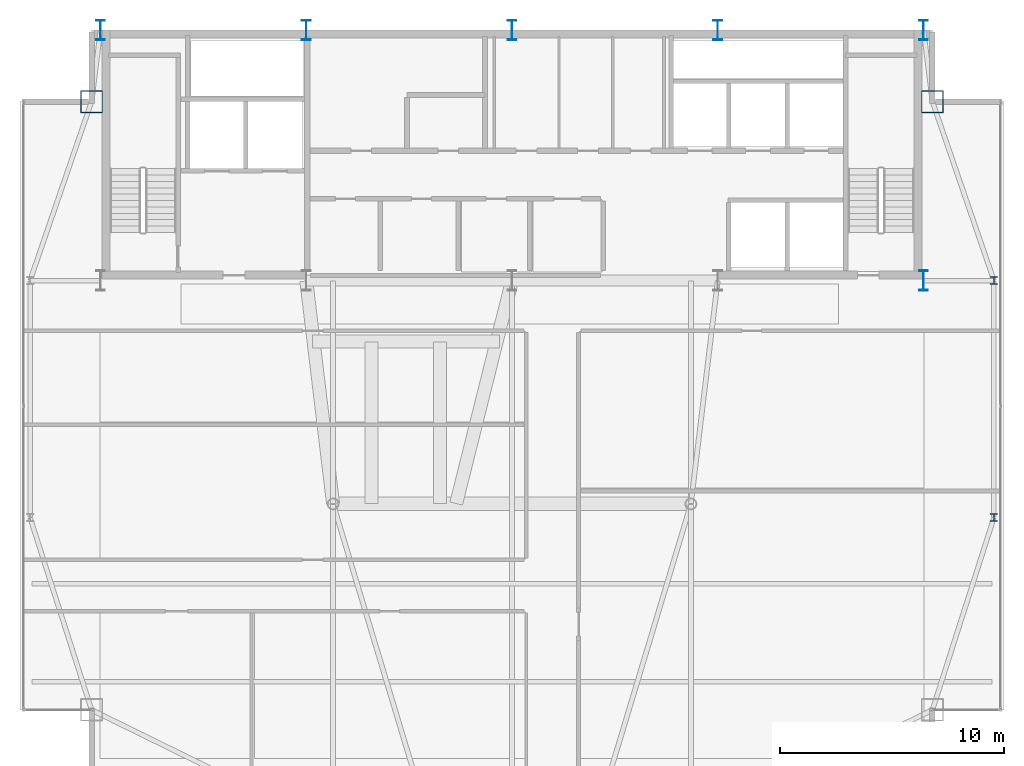
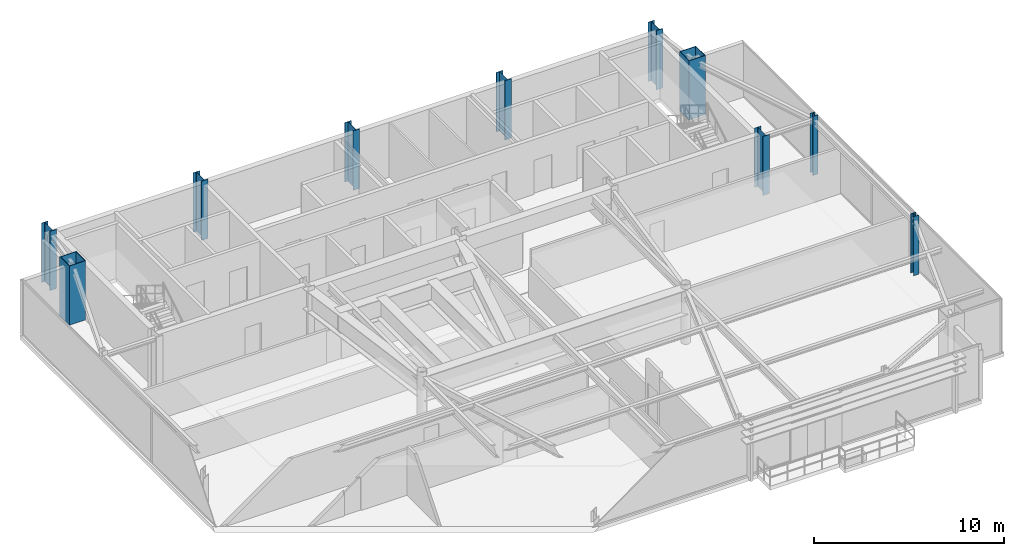
# One storey, part 2 of 21: 10 columns.
"""IFC4 building model written with IfcOpenShell, lengths in metres."""

from ifc_helpers import new_model, si_unit, direction, frame, origin, origin_2d, place, context, subcontext, project, spatial, hollow_rectangle, i_section, extrude, source, transform, mapped, material, material_profile, profile_set, type_object, type_shapes, element, save


model = new_model("IFC4")

# Units and contexts
model_context = context("Model", 3, precision=1e-05, world=origin(), true_north=direction((0.0, 1.0)))
body_context = subcontext(model_context, "Body", "Model", "MODEL_VIEW")
ifc_project = project(units=[si_unit("LENGTHUNIT", "METRE"), si_unit("AREAUNIT", "SQUARE_METRE"), si_unit("VOLUMEUNIT", "CUBIC_METRE"), si_unit("PLANEANGLEUNIT", "RADIAN"), si_unit("MASSUNIT", "GRAM", prefix="KILO")], contexts=[model_context])

# Site, building, storey
site_placement = place(None, origin())
site = spatial("IfcSite", under=ifc_project, at=site_placement, CompositionType="ELEMENT")
building_placement = place(site_placement, origin())
building = spatial("IfcBuilding", under=site, at=building_placement, Name="Varnel Quay Broadcast Tower", CompositionType="ELEMENT")
storey_placement = place(building_placement, frame((0.0, 0.0, 296.39990234375)))
storey = spatial("IfcBuildingStorey", under=building, at=storey_placement, Name="L74", CompositionType="ELEMENT", Elevation=296.39990234375)

# Columns
ifc_material_1 = material(Name="Structural Steel CSA G40.21 350WT", Category="steel")
ifc_material_profile_1 = material_profile(ifc_material_1, i_section(OverallWidth=0.39990234375, OverallDepth=0.89990234375, WebThickness=0.01611328125, FlangeThickness=0.028076171875, FilletRadius=0.01611328125, at=origin_2d()), Name="WWF900X309")
ifc_profile_set_1 = profile_set([ifc_material_profile_1], Name="Structural Steel CSA G40.21 350WT")
column_type_1 = type_object("IfcColumnType", Name="Col_WWF900X309", PredefinedType="COLUMN", material=ifc_profile_set_1)
shared_shape_1 = source(origin(), body_context, "Body", "SweptSolid", [
    extrude(i_section(OverallWidth=0.39990234375, OverallDepth=0.89990234375, WebThickness=0.01611328125, FlangeThickness=0.028076171875, FilletRadius=0.01611328125, at=origin_2d()), origin(), (0.0, 0.0, 1.0), 3.800048828125),
])
type_shapes(column_type_1, [shared_shape_1])
for number, where, z_axis, x_axis, name in (
    (1, (15.60009765625, 46.800048828125, 0.0), (0.0, 0.0, 1.0), (1.0, 0.0, 0.0), "L74 Column CC-N1"),
    (2, (24.800048828125, 46.800048828125, 0.0), (0.0, 0.0, 1.0), (1.0, 0.0, 0.0), "L74 Column CC-N2"),
    (3, (34.0, 46.800048828125, 0.0), (0.0, 0.0, 1.0), (1.0, 0.0, 0.0), "L74 Column CC-N3"),
    (4, (43.199951171875, 46.800048828125, 0.0), (0.0, 0.0, 1.0), (1.0, 0.0, 0.0), "L74 Column CC-N4"),
    (5, (52.39990234375, 35.60009765625, 0.0), (0.0, 0.0, 1.0), (1.0, 0.0, 0.0), "L74 Column CC-S5"),
    (6, (52.39990234375, 46.800048828125, 0.0), (0.0, 0.0, 1.0), (1.0, 0.0, 0.0), "L74 Column CC-N5"),
):
    element("IfcColumn", number, at=place(storey_placement, frame(where, z_axis=z_axis, x_axis=x_axis)), inside=storey, type_object=column_type_1, Name=name, PredefinedType="COLUMN", context=body_context, shape_type="MappedRepresentation", body=[
        mapped(shared_shape_1, transform((0.0, 0.0, 0.0), x_axis=(1.0, 0.0, 0.0), y_axis=(0.0, 1.0, 0.0), z_axis=(0.0, 0.0, 1.0), scale=1.0)),
    ])
ifc_material_profile_2 = material_profile(ifc_material_1, hollow_rectangle(XDim=1.0, YDim=1.0, WallThickness=0.0400390625, at=origin_2d()), Name="BOX1000X1000X40")
ifc_profile_set_2 = profile_set([ifc_material_profile_2], Name="Structural Steel CSA G40.21 350WT")
column_type_2 = type_object("IfcColumnType", Name="Col_BOX1000X1000X40", PredefinedType="COLUMN", material=ifc_profile_set_2)
shared_shape_2 = source(origin(), body_context, "Body", "SweptSolid", [
    extrude(hollow_rectangle(XDim=1.0, YDim=1.0, WallThickness=0.0400390625, at=origin_2d()), origin(), (0.0, 0.0, 1.0), 3.800048828125),
])
type_shapes(column_type_2, [shared_shape_2])
for number, where, z_axis, x_axis, name in (
    (7, (52.800048828125, 43.60009765625, 0.0), (0.0, 0.0, 1.0), (1.0, 0.0, 0.0), "L74 Column MC-NE"),
    (8, (15.199951171875, 43.60009765625, 0.0), (0.0, 0.0, 1.0), (1.0, 0.0, 0.0), "L74 Column MC-NW"),
):
    element("IfcColumn", number, at=place(storey_placement, frame(where, z_axis=z_axis, x_axis=x_axis)), inside=storey, type_object=column_type_2, Name=name, PredefinedType="COLUMN", context=body_context, shape_type="MappedRepresentation", body=[
        mapped(shared_shape_2, transform((0.0, 0.0, 0.0), x_axis=(1.0, 0.0, 0.0), y_axis=(0.0, 1.0, 0.0), z_axis=(0.0, 0.0, 1.0), scale=1.0)),
    ])
ifc_material_2 = material(Name="Structural Steel CSA G40.21 350W", Category="steel")
ifc_material_profile_3 = material_profile(ifc_material_2, i_section(OverallWidth=0.30908203125, OverallDepth=0.322998046875, WebThickness=0.013916015625, FlangeThickness=0.02294921875, FilletRadius=0.014892578125, at=origin_2d()), Name="W310X143")
ifc_profile_set_3 = profile_set([ifc_material_profile_3], Name="Structural Steel CSA G40.21 350W")
column_type_3 = type_object("IfcColumnType", Name="Col_W310X143", PredefinedType="COLUMN", material=ifc_profile_set_3)
shared_shape_3 = source(origin(), body_context, "Body", "SweptSolid", [
    extrude(i_section(OverallWidth=0.30908203125, OverallDepth=0.322998046875, WebThickness=0.013916015625, FlangeThickness=0.02294921875, FilletRadius=0.014892578125, at=origin_2d()), origin(), (0.0, 0.0, 1.0), 3.800048828125),
])
type_shapes(column_type_3, [shared_shape_3])
for number, where, z_axis, x_axis, name in (
    (9, (55.550048828125, 25.0, 0.0), (0.0, 0.0, 1.0), (1.0, 0.0, 0.0), "L74 Column TC-E1"),
    (10, (55.550048828125, 35.60009765625, 0.0), (0.0, 0.0, 1.0), (1.0, 0.0, 0.0), "L74 Column TC-E2"),
):
    element("IfcColumn", number, at=place(storey_placement, frame(where, z_axis=z_axis, x_axis=x_axis)), inside=storey, type_object=column_type_3, Name=name, PredefinedType="COLUMN", context=body_context, shape_type="MappedRepresentation", body=[
        mapped(shared_shape_3, transform((0.0, 0.0, 0.0), x_axis=(1.0, 0.0, 0.0), y_axis=(0.0, 1.0, 0.0), z_axis=(0.0, 0.0, 1.0), scale=1.0)),
    ])

save(model, "model.ifc")
